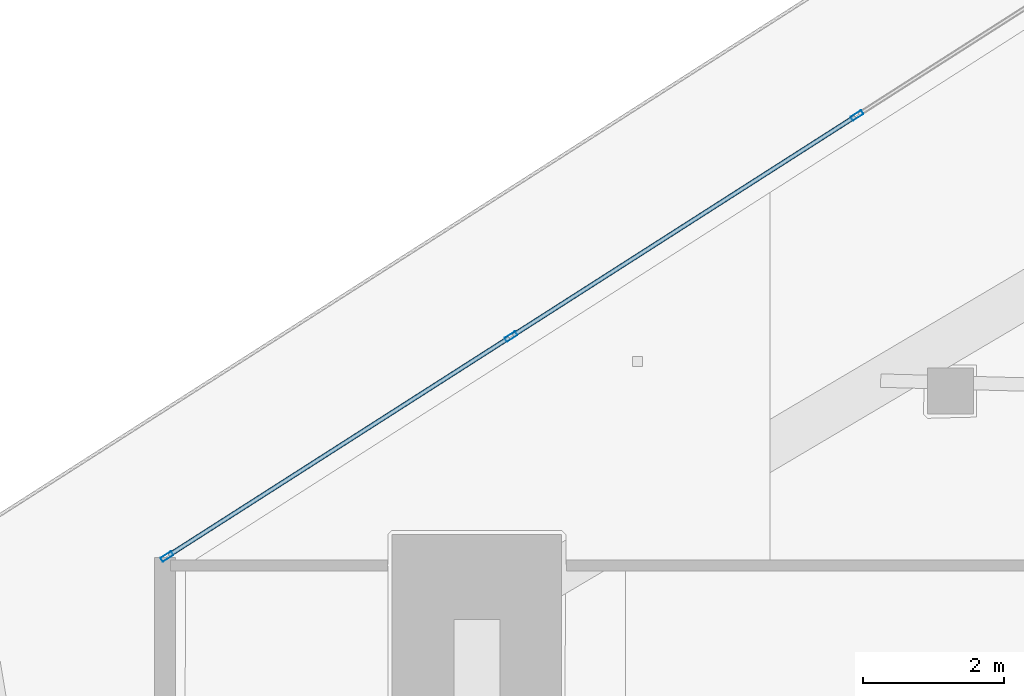
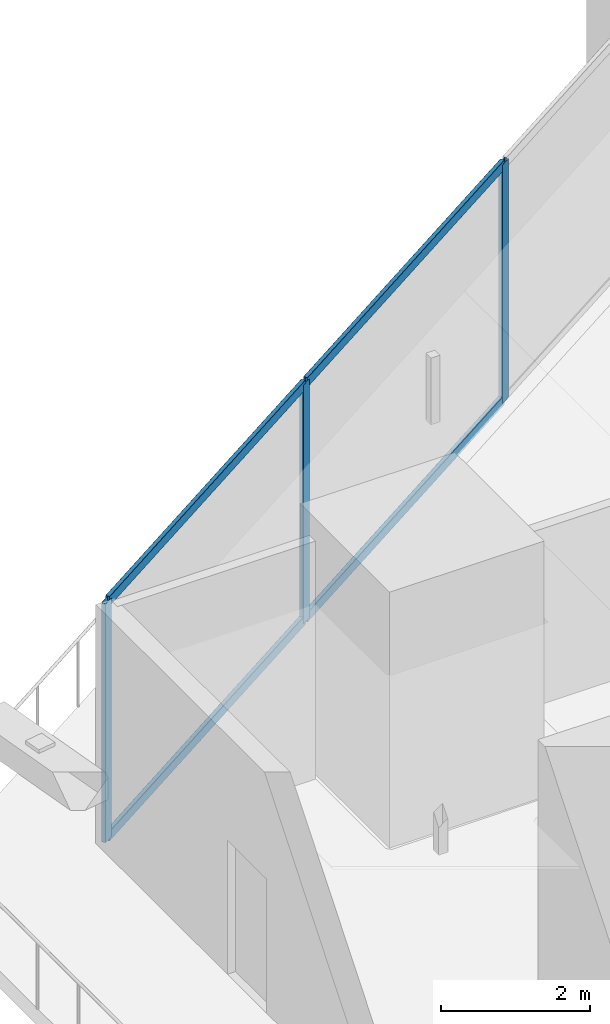
# One storey, part 14 of 45: 7 members, 1 element without a shape of its own.
"""IFC4 building model written with IfcOpenShell, lengths in metres."""

from ifc_helpers import new_model, si_unit, direction, frame, origin, origin_2d, place, context, subcontext, project, spatial, hollow_rectangle, extrude, material, layer, layer_set, material_profile, profile_set, type_object, element, aggregate, save


model = new_model("IFC4")

# Units and contexts
model_context = context("Model", 3, precision=1e-05, world=origin(), true_north=direction((0.0, 1.0)))
body_context = subcontext(model_context, "Body", "Model", "MODEL_VIEW")
ifc_project = project(units=[si_unit("LENGTHUNIT", "METRE"), si_unit("AREAUNIT", "SQUARE_METRE"), si_unit("VOLUMEUNIT", "CUBIC_METRE"), si_unit("PLANEANGLEUNIT", "RADIAN"), si_unit("MASSUNIT", "GRAM", prefix="KILO")], contexts=[model_context])

# Site, building, storey
site_placement = place(None, origin())
site = spatial("IfcSite", under=ifc_project, at=site_placement, CompositionType="ELEMENT")
building_placement = place(site_placement, origin())
building = spatial("IfcBuilding", under=site, at=building_placement, Name="Qorvath Tower", CompositionType="ELEMENT")
storey_placement = place(building_placement, frame((0.0, 0.0, 66.0)))
storey = spatial("IfcBuildingStorey", under=building, at=storey_placement, Name="L14", CompositionType="ELEMENT", Elevation=66.0)

# Curtain wall, members
ifc_material_1 = material(Name="Anodised aluminium and triple low-E glass", Category="aluminium")
ifc_layer = layer(ifc_material_1, 0.179931640625)
ifc_layer_set = layer_set([ifc_layer], Name="CW-SYS-2")
curtain_wall_type = type_object("IfcCurtainWallType", Name="CW-SYS-2", PredefinedType="NOTDEFINED", material=ifc_layer_set)
curtain_wall_placement = place(storey_placement, origin())
curtain_wall = element("IfcCurtainWall", 1, at=curtain_wall_placement, inside=storey, type_object=curtain_wall_type, Name="Curtain Wall CW-2 CW-T-L14-16.3", PredefinedType="NOTDEFINED")
ifc_material_2 = material(Name="Anodised aluminium 6063-T6", Category="aluminium")
ifc_material_profile_1 = material_profile(ifc_material_2, hollow_rectangle(XDim=0.06494140625, YDim=0.179931640625, WallThickness=0.00341796875, InnerFilletRadius=0.00341796875, OuterFilletRadius=0.007080078125, at=origin_2d()), Name="CWM 180x65")
ifc_profile_set_1 = profile_set([ifc_material_profile_1], Name="Anodised aluminium 6063-T6")
member_type_1 = type_object("IfcMemberType", Name="CWM-180", PredefinedType="MULLION", material=ifc_profile_set_1)
member_1_placement = place(storey_placement, frame((-49.9033203125, 10.326416015625, 0.0), z_axis=(0.0, 0.0, 1.0), x_axis=(0.538530641183, -0.842605927173, 0.0)))
member_1 = element("IfcMember", 2, at=member_1_placement, type_object=member_type_1, Name="CW-2 mullion 3", PredefinedType="MULLION", context=body_context, shape_type="SweptSolid", body=[
    extrude(hollow_rectangle(XDim=0.06494140625, YDim=0.179931640625, WallThickness=0.00341796875, InnerFilletRadius=0.00341796875, OuterFilletRadius=0.007080078125, at=origin_2d()), origin(), (0.0, 0.0, 1.0), 3.919921875),
])
member_2_placement = place(storey_placement, frame((-54.800048828125, 7.196533203125, 0.0), z_axis=(0.0, 0.0, 1.0), x_axis=(0.538530641183, -0.842605927173, 0.0)))
member_2 = element("IfcMember", 3, at=member_2_placement, type_object=member_type_1, Name="CW-2 mullion 4", PredefinedType="MULLION", context=body_context, shape_type="SweptSolid", body=[
    extrude(hollow_rectangle(XDim=0.06494140625, YDim=0.179931640625, WallThickness=0.00341796875, InnerFilletRadius=0.00341796875, OuterFilletRadius=0.007080078125, at=origin_2d()), origin(), (0.0, 0.0, 1.0), 3.919921875),
])
member_3_placement = place(storey_placement, frame((-59.669677734375, 4.08447265625, 0.0), z_axis=(0.0, 0.0, 1.0), x_axis=(0.538530641183, -0.842605927173, 0.0)))
member_3 = element("IfcMember", 4, at=member_3_placement, type_object=member_type_1, Name="CW-2 mullion 5", PredefinedType="MULLION", context=body_context, shape_type="SweptSolid", body=[
    extrude(hollow_rectangle(XDim=0.06494140625, YDim=0.179931640625, WallThickness=0.00341796875, InnerFilletRadius=0.00341796875, OuterFilletRadius=0.007080078125, at=origin_2d()), origin(), (0.0, 0.0, 1.0), 3.919921875),
])
ifc_material_3 = material(Name="Anodised aluminium 6063-T6", Category="aluminium")
ifc_material_profile_2 = material_profile(ifc_material_3, hollow_rectangle(XDim=0.06494140625, YDim=0.159912109375, WallThickness=0.00341796875, InnerFilletRadius=0.00341796875, OuterFilletRadius=0.007080078125, at=origin_2d()), Name="CWT 160x65")
ifc_profile_set_2 = profile_set([ifc_material_profile_2], Name="Anodised aluminium 6063-T6")
member_type_2 = type_object("IfcMemberType", Name="CWT-160", PredefinedType="USERDEFINED", material=ifc_profile_set_2)
member_4_placement = place(storey_placement, frame((-49.9306640625, 10.308837890625, 0.032470703125), z_axis=(-0.842601476504, -0.538537604809, 0.0), x_axis=(0.538537604809, -0.842601476504, 0.0)))
member_4 = element("IfcMember", 5, at=member_4_placement, type_object=member_type_2, Name="CW-2 transom 3.1", ObjectType="TRANSOM", PredefinedType="USERDEFINED", context=body_context, shape_type="SweptSolid", body=[
    extrude(hollow_rectangle(XDim=0.06494140625, YDim=0.159912109375, WallThickness=0.00341796875, InnerFilletRadius=0.00341796875, OuterFilletRadius=0.007080078125, at=origin_2d()), origin(), (0.0, 0.0, 1.0), 5.74658203125),
])
member_5_placement = place(storey_placement, frame((-49.9306640625, 10.308837890625, 3.887451171875), z_axis=(-0.842601476504, -0.538537604809, 0.0), x_axis=(0.538537604809, -0.842601476504, 0.0)))
member_5 = element("IfcMember", 6, at=member_5_placement, type_object=member_type_2, Name="CW-2 transom 3.2", ObjectType="TRANSOM", PredefinedType="USERDEFINED", context=body_context, shape_type="SweptSolid", body=[
    extrude(hollow_rectangle(XDim=0.06494140625, YDim=0.159912109375, WallThickness=0.00341796875, InnerFilletRadius=0.00341796875, OuterFilletRadius=0.007080078125, at=origin_2d()), origin(), (0.0, 0.0, 1.0), 5.74658203125),
])
member_6_placement = place(storey_placement, frame((-54.82763671875, 7.17919921875, 0.032470703125), z_axis=(-0.842590167086, -0.53855529923, 0.0), x_axis=(0.53855529923, -0.842590167086, 0.0)))
member_6 = element("IfcMember", 7, at=member_6_placement, type_object=member_type_2, Name="CW-2 transom 4.1", ObjectType="TRANSOM", PredefinedType="USERDEFINED", context=body_context, shape_type="SweptSolid", body=[
    extrude(hollow_rectangle(XDim=0.06494140625, YDim=0.159912109375, WallThickness=0.00341796875, InnerFilletRadius=0.00341796875, OuterFilletRadius=0.007080078125, at=origin_2d()), origin(), (0.0, 0.0, 1.0), 5.714111328125),
])
member_7_placement = place(storey_placement, frame((-54.82763671875, 7.17919921875, 3.887451171875), z_axis=(-0.842590167086, -0.53855529923, 0.0), x_axis=(0.53855529923, -0.842590167086, 0.0)))
member_7 = element("IfcMember", 8, at=member_7_placement, type_object=member_type_2, Name="CW-2 transom 4.2", ObjectType="TRANSOM", PredefinedType="USERDEFINED", context=body_context, shape_type="SweptSolid", body=[
    extrude(hollow_rectangle(XDim=0.06494140625, YDim=0.159912109375, WallThickness=0.00341796875, InnerFilletRadius=0.00341796875, OuterFilletRadius=0.007080078125, at=origin_2d()), origin(), (0.0, 0.0, 1.0), 5.714111328125),
])
aggregate(curtain_wall, [member_1, member_2, member_3, member_4, member_5, member_6, member_7])

save(model, "model.ifc")
